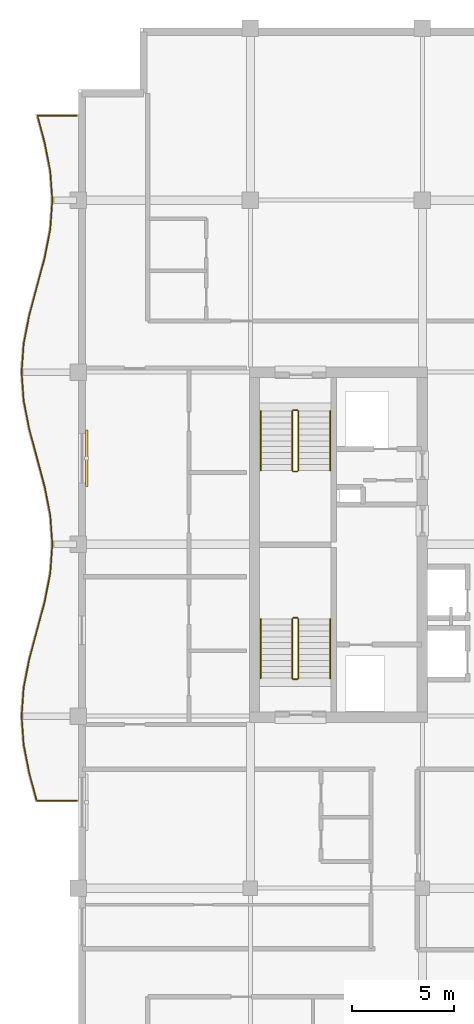
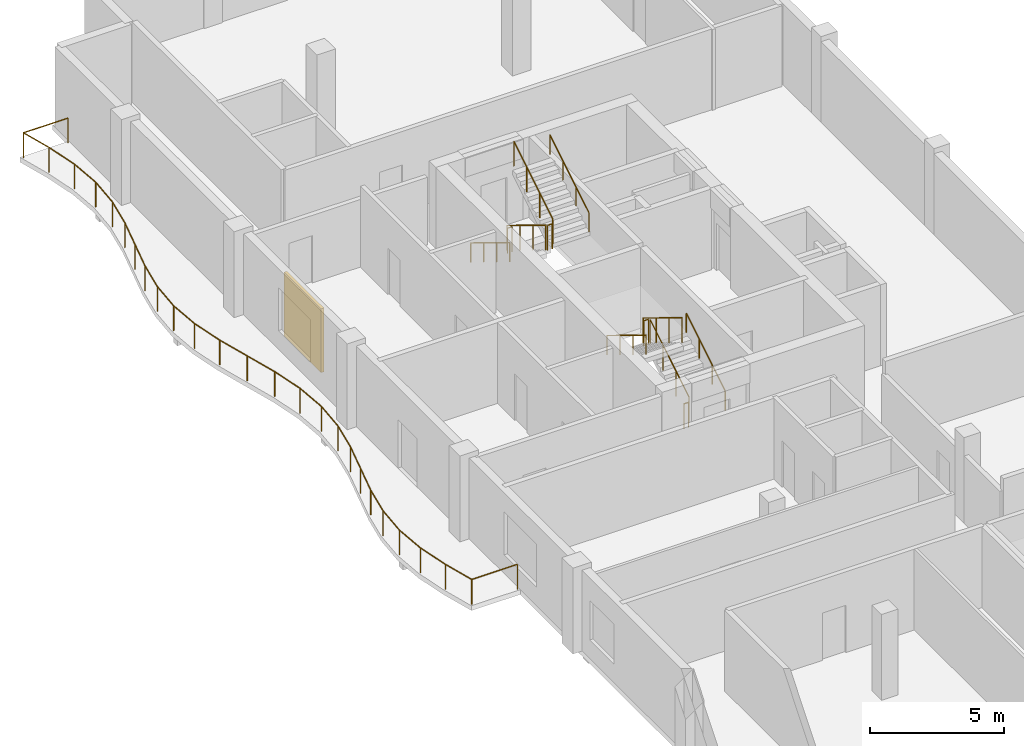
# One storey, part 13 of 14: 13 railings, 1 shading device.
"""IFC4 building model written with IfcOpenShell, lengths in metres."""

from ifc_helpers import new_model, si_unit, direction, frame, origin, origin_2d, place, context, subcontext, project, spatial, rectangle, circle, extrude, material, layer, layer_set, type_object, element, save


model = new_model("IFC4")

# Units and contexts
model_context = context("Model", 3, precision=1e-05, world=origin(), true_north=direction((0.0, 1.0)))
body_context = subcontext(model_context, "Body", "Model", "MODEL_VIEW")
ifc_project = project(units=[si_unit("LENGTHUNIT", "METRE"), si_unit("AREAUNIT", "SQUARE_METRE"), si_unit("VOLUMEUNIT", "CUBIC_METRE"), si_unit("PLANEANGLEUNIT", "RADIAN"), si_unit("MASSUNIT", "GRAM", prefix="KILO")], contexts=[model_context])

# Site, building, storey
site_placement = place(None, origin())
site = spatial("IfcSite", under=ifc_project, at=site_placement, CompositionType="ELEMENT")
building_placement = place(site_placement, origin())
building = spatial("IfcBuilding", under=site, at=building_placement, Name="Koriwani Terraces Tower", CompositionType="ELEMENT")
storey_placement = place(building_placement, frame((0.0, 0.0, 339.800048828125)))
storey = spatial("IfcBuildingStorey", under=building, at=storey_placement, Name="L84", CompositionType="ELEMENT", Elevation=339.800048828125)

# Railings
ifc_material_1 = material(Name="Steel ASTM A572 Grade 50", Category="steel")
railing_type_1 = type_object("IfcRailingType", Name="GUARD_BALUSTRADE_1150", PredefinedType="BALUSTRADE", material=ifc_material_1)
railing_1_placement = place(storey_placement, frame((8.320068359375, 37.8798828125, 0.0)))
element("IfcRailing", 1, at=railing_1_placement, inside=storey, type_object=railing_type_1, Name="L84 Balcony Perimeter Safety Balustrade (W)", PredefinedType="BALUSTRADE", context=body_context, shape_type="SweptSolid", body=[
    extrude(circle(Radius=0.02392578125, at=origin_2d()), frame((0.0, 0.0, 1.1259765625), z_axis=(-1.0, 0.0, 0.0), x_axis=(0.0, -1.0, 0.0)), (0.0, 0.0, 1.0), 1.958740234375),
    extrude(circle(Radius=0.02392578125, at=origin_2d()), frame((-1.958740234375, 0.0, 1.1259765625), z_axis=(-0.25871553033, 0.965953557044, 0.0), x_axis=(-0.965953557044, -0.25871553033, 0.0)), (0.0, 0.0, 1.0), 1.38525390625),
    extrude(circle(Radius=0.02392578125, at=origin_2d()), frame((-2.317138671875, 1.338134765625, 1.1259765625), z_axis=(-0.192342993657, 0.981327760125, 0.0), x_axis=(-0.981327760125, -0.192342993657, 0.0)), (0.0, 0.0, 1.0), 1.419189453125),
    extrude(circle(Radius=0.02392578125, at=origin_2d()), frame((-2.590087890625, 2.730712890625, 1.1259765625), z_axis=(-0.07168297904, 0.997427466293, 0.0), x_axis=(-0.997427466293, -0.07168297904, 0.0)), (0.0, 0.0, 1.0), 1.39306640625),
    extrude(circle(Radius=0.02392578125, at=origin_2d()), frame((-2.68994140625, 4.1201171875, 1.1259765625), z_axis=(0.07168297904, 0.997427466293, 0.0), x_axis=(-0.997427466293, 0.07168297904, 0.0)), (0.0, 0.0, 1.0), 1.39306640625),
    extrude(circle(Radius=0.02392578125, at=origin_2d()), frame((-2.590087890625, 5.509521484375, 1.1259765625), z_axis=(0.192342993657, 0.981327760125, 0.0), x_axis=(-0.981327760125, 0.192342993657, 0.0)), (0.0, 0.0, 1.0), 1.419189453125),
    extrude(circle(Radius=0.02392578125, at=origin_2d()), frame((-2.317138671875, 6.902099609375, 1.1259765625), z_axis=(0.258731875344, 0.96594917914, 0.0), x_axis=(-0.96594917914, 0.258731875344, 0.0)), (0.0, 0.0, 1.0), 2.898681640625),
    extrude(circle(Radius=0.02392578125, at=origin_2d()), frame((-1.567138671875, 9.7021484375, 1.1259765625), z_axis=(0.192186246762, 0.981358469957, 0.0), x_axis=(-0.981358469957, 0.192186246762, 0.0)), (0.0, 0.0, 1.0), 1.434326171875),
    extrude(circle(Radius=0.02392578125, at=origin_2d()), frame((-1.29150390625, 11.109619140625, 1.1259765625), z_axis=(0.071651951482, 0.997429695692, 0.0), x_axis=(-0.997429695692, 0.071651951482, 0.0)), (0.0, 0.0, 1.0), 1.4140625),
    extrude(circle(Radius=0.02392578125, at=origin_2d()), frame((-1.190185546875, 12.52001953125, 1.1259765625), z_axis=(-0.071639614309, 0.997430581876, 0.0), x_axis=(-0.997430581876, -0.071639614309, 0.0)), (0.0, 0.0, 1.0), 1.414306640625),
    extrude(circle(Radius=0.02392578125, at=origin_2d()), frame((-1.29150390625, 13.9306640625, 1.1259765625), z_axis=(-0.192186246762, 0.981358469957, 0.0), x_axis=(-0.981358469957, -0.192186246762, 0.0)), (0.0, 0.0, 1.0), 1.434326171875),
    extrude(circle(Radius=0.02392578125, at=origin_2d()), frame((-1.567138671875, 15.338134765625, 1.1259765625), z_axis=(-0.258731875344, 0.96594917914, 0.0), x_axis=(-0.96594917914, -0.258731875344, 0.0)), (0.0, 0.0, 1.0), 2.898681640625),
    extrude(circle(Radius=0.02392578125, at=origin_2d()), frame((-2.317138671875, 18.13818359375, 1.1259765625), z_axis=(-0.192342993657, 0.981327760125, 0.0), x_axis=(-0.981327760125, -0.192342993657, 0.0)), (0.0, 0.0, 1.0), 1.419189453125),
    extrude(circle(Radius=0.02392578125, at=origin_2d()), frame((-2.590087890625, 19.53076171875, 1.1259765625), z_axis=(-0.07168297904, 0.997427466293, 0.0), x_axis=(-0.997427466293, -0.07168297904, 0.0)), (0.0, 0.0, 1.0), 1.39306640625),
    extrude(circle(Radius=0.02392578125, at=origin_2d()), frame((-2.68994140625, 20.920166015625, 1.1259765625), z_axis=(0.07168297904, 0.997427466293, 0.0), x_axis=(-0.997427466293, 0.07168297904, 0.0)), (0.0, 0.0, 1.0), 1.39306640625),
    extrude(circle(Radius=0.02392578125, at=origin_2d()), frame((-2.590087890625, 22.3095703125, 1.1259765625), z_axis=(0.19237547223, 0.981321393675, 0.0), x_axis=(-0.981321393675, 0.19237547223, 0.0)), (0.0, 0.0, 1.0), 1.4189453125),
    extrude(circle(Radius=0.02392578125, at=origin_2d()), frame((-2.317138671875, 23.701904296875, 1.1259765625), z_axis=(0.258710827923, 0.965954816498, 0.0), x_axis=(-0.965954816498, 0.258710827923, 0.0)), (0.0, 0.0, 1.0), 2.89892578125),
    extrude(circle(Radius=0.02392578125, at=origin_2d()), frame((-1.567138671875, 26.502197265625, 1.1259765625), z_axis=(0.192218357442, 0.981352180954, 0.0), x_axis=(-0.981352180954, 0.192218357442, 0.0)), (0.0, 0.0, 1.0), 1.43408203125),
    extrude(circle(Radius=0.02392578125, at=origin_2d()), frame((-1.29150390625, 27.909423828125, 1.1259765625), z_axis=(0.071639614309, 0.997430581876, 0.0), x_axis=(-0.997430581876, 0.071639614309, 0.0)), (0.0, 0.0, 1.0), 1.414306640625),
    extrude(circle(Radius=0.02392578125, at=origin_2d()), frame((-1.190185546875, 29.320068359375, 1.1259765625), z_axis=(-0.071639614309, 0.997430581876, 0.0), x_axis=(-0.997430581876, -0.071639614309, 0.0)), (0.0, 0.0, 1.0), 1.414306640625),
    extrude(circle(Radius=0.02392578125, at=origin_2d()), frame((-1.29150390625, 30.730712890625, 1.1259765625), z_axis=(-0.192186246762, 0.981358469957, 0.0), x_axis=(-0.981358469957, -0.192186246762, 0.0)), (0.0, 0.0, 1.0), 1.434326171875),
    extrude(circle(Radius=0.02392578125, at=origin_2d()), frame((-1.567138671875, 32.13818359375, 1.1259765625), z_axis=(-0.258654599752, 0.965969874285, 0.0), x_axis=(-0.965969874285, -0.258654599752, 0.0)), (0.0, 0.0, 1.0), 1.347900390625),
    extrude(circle(Radius=0.02392578125, at=origin_2d()), frame((-1.915771484375, 33.440185546875, 1.1259765625), z_axis=(1.0, 0.0, 0.0), x_axis=(0.0, 1.0, 0.0)), (0.0, 0.0, 1.0), 1.915771484375),
    extrude(circle(Radius=0.02099609375, at=origin_2d()), origin(), (0.0, 0.0, 1.0), 1.101806640625),
    extrude(circle(Radius=0.02099609375, at=origin_2d()), frame((-1.958740234375, 0.0, 0.0)), (0.0, 0.0, 1.0), 1.101806640625),
    extrude(circle(Radius=0.02099609375, at=origin_2d()), frame((-2.317138671875, 1.338134765625, 0.0)), (0.0, 0.0, 1.0), 1.101806640625),
    extrude(circle(Radius=0.02099609375, at=origin_2d()), frame((-2.590087890625, 2.730712890625, 0.0)), (0.0, 0.0, 1.0), 1.101806640625),
    extrude(circle(Radius=0.02099609375, at=origin_2d()), frame((-2.68994140625, 4.1201171875, 0.0)), (0.0, 0.0, 1.0), 1.101806640625),
    extrude(circle(Radius=0.02099609375, at=origin_2d()), frame((-2.590087890625, 5.509521484375, 0.0)), (0.0, 0.0, 1.0), 1.101806640625),
    extrude(circle(Radius=0.02099609375, at=origin_2d()), frame((-2.317138671875, 6.902099609375, 0.0)), (0.0, 0.0, 1.0), 1.101806640625),
    extrude(circle(Radius=0.02099609375, at=origin_2d()), frame((-1.942138671875, 8.30224609375, 0.0)), (0.0, 0.0, 1.0), 1.101806640625),
    extrude(circle(Radius=0.02099609375, at=origin_2d()), frame((-1.567138671875, 9.7021484375, 0.0)), (0.0, 0.0, 1.0), 1.101806640625),
    extrude(circle(Radius=0.02099609375, at=origin_2d()), frame((-1.29150390625, 11.109619140625, 0.0)), (0.0, 0.0, 1.0), 1.101806640625),
    extrude(circle(Radius=0.02099609375, at=origin_2d()), frame((-1.190185546875, 12.52001953125, 0.0)), (0.0, 0.0, 1.0), 1.101806640625),
    extrude(circle(Radius=0.02099609375, at=origin_2d()), frame((-1.29150390625, 13.9306640625, 0.0)), (0.0, 0.0, 1.0), 1.101806640625),
    extrude(circle(Radius=0.02099609375, at=origin_2d()), frame((-1.567138671875, 15.338134765625, 0.0)), (0.0, 0.0, 1.0), 1.101806640625),
    extrude(circle(Radius=0.02099609375, at=origin_2d()), frame((-1.942138671875, 16.73828125, 0.0)), (0.0, 0.0, 1.0), 1.101806640625),
    extrude(circle(Radius=0.02099609375, at=origin_2d()), frame((-2.317138671875, 18.13818359375, 0.0)), (0.0, 0.0, 1.0), 1.101806640625),
    extrude(circle(Radius=0.02099609375, at=origin_2d()), frame((-2.590087890625, 19.53076171875, 0.0)), (0.0, 0.0, 1.0), 1.101806640625),
    extrude(circle(Radius=0.02099609375, at=origin_2d()), frame((-2.68994140625, 20.920166015625, 0.0)), (0.0, 0.0, 1.0), 1.101806640625),
    extrude(circle(Radius=0.02099609375, at=origin_2d()), frame((-2.590087890625, 22.3095703125, 0.0)), (0.0, 0.0, 1.0), 1.101806640625),
    extrude(circle(Radius=0.02099609375, at=origin_2d()), frame((-2.317138671875, 23.701904296875, 0.0)), (0.0, 0.0, 1.0), 1.101806640625),
    extrude(circle(Radius=0.02099609375, at=origin_2d()), frame((-1.942138671875, 25.10205078125, 0.0)), (0.0, 0.0, 1.0), 1.101806640625),
    extrude(circle(Radius=0.02099609375, at=origin_2d()), frame((-1.567138671875, 26.502197265625, 0.0)), (0.0, 0.0, 1.0), 1.101806640625),
    extrude(circle(Radius=0.02099609375, at=origin_2d()), frame((-1.29150390625, 27.909423828125, 0.0)), (0.0, 0.0, 1.0), 1.101806640625),
    extrude(circle(Radius=0.02099609375, at=origin_2d()), frame((-1.190185546875, 29.320068359375, 0.0)), (0.0, 0.0, 1.0), 1.101806640625),
    extrude(circle(Radius=0.02099609375, at=origin_2d()), frame((-1.29150390625, 30.730712890625, 0.0)), (0.0, 0.0, 1.0), 1.101806640625),
    extrude(circle(Radius=0.02099609375, at=origin_2d()), frame((-1.567138671875, 32.13818359375, 0.0)), (0.0, 0.0, 1.0), 1.101806640625),
    extrude(circle(Radius=0.02099609375, at=origin_2d()), frame((-1.915771484375, 33.440185546875, 0.0)), (0.0, 0.0, 1.0), 1.101806640625),
    extrude(circle(Radius=0.02099609375, at=origin_2d()), frame((0.0, 33.440185546875, 0.0)), (0.0, 0.0, 1.0), 1.101806640625),
])
railing_type_2 = type_object("IfcRailingType", Name="GUARD_STAIR_WELL_1120", PredefinedType="GUARDRAIL", material=ifc_material_1)
railing_2_placement = place(storey_placement, frame((19.14990234375, 43.85009765625, 0.17724609375)))
element("IfcRailing", 2, at=railing_2_placement, inside=storey, type_object=railing_type_2, Name="L84 ST-W1 stair guard 1", PredefinedType="GUARDRAIL", context=body_context, shape_type="SweptSolid", body=[
    extrude(circle(Radius=0.02392578125, at=origin_2d()), frame((0.0, 0.0, 1.1259765625), z_axis=(0.0, 0.853210801645, 0.521566225858), x_axis=(-1.0, 0.0, 0.0)), (0.0, 0.0, 1.0), 3.39892578125),
    extrude(circle(Radius=0.02099609375, at=origin_2d()), origin(), (0.0, 0.0, 1.0), 1.101806640625),
    extrude(circle(Radius=0.02099609375, at=origin_2d()), frame((0.0, 0.966552734375, 0.5908203125)), (0.0, 0.0, 1.0), 1.101806640625),
    extrude(circle(Radius=0.02099609375, at=origin_2d()), frame((0.0, 1.933349609375, 1.181884765625)), (0.0, 0.0, 1.0), 1.101806640625),
    extrude(circle(Radius=0.02099609375, at=origin_2d()), frame((0.0, 2.89990234375, 1.772705078125)), (0.0, 0.0, 1.0), 1.101806640625),
])
railing_3_placement = place(storey_placement, frame((19.10009765625, 46.800048828125, 1.949951171875)))
element("IfcRailing", 3, at=railing_3_placement, inside=storey, type_object=railing_type_2, Name="L84 ST-W1 stair guard 2", PredefinedType="GUARDRAIL", context=body_context, shape_type="SweptSolid", body=[
    extrude(circle(Radius=0.02392578125, at=origin_2d()), frame((0.0, 0.0, 1.1259765625), z_axis=(-1.0, 0.0, 0.0), x_axis=(0.0, -1.0, 0.0)), (0.0, 0.0, 1.0), 0.2001953125),
    extrude(circle(Radius=0.02099609375, at=origin_2d()), origin(), (0.0, 0.0, 1.0), 1.101806640625),
    extrude(circle(Radius=0.02099609375, at=origin_2d()), frame((-0.2001953125, 0.0, 0.0)), (0.0, 0.0, 1.0), 1.101806640625),
])
railing_4_placement = place(storey_placement, frame((18.85009765625, 46.75, 2.127197265625)))
element("IfcRailing", 4, at=railing_4_placement, inside=storey, type_object=railing_type_2, Name="L84 ST-W1 stair guard 3", PredefinedType="GUARDRAIL", context=body_context, shape_type="SweptSolid", body=[
    extrude(circle(Radius=0.02392578125, at=origin_2d()), frame((0.0, 0.0, 1.1259765625), z_axis=(0.0, -0.853210801645, 0.521566225858), x_axis=(1.0, 0.0, 0.0)), (0.0, 0.0, 1.0), 3.39892578125),
    extrude(circle(Radius=0.02099609375, at=origin_2d()), origin(), (0.0, 0.0, 1.0), 1.101806640625),
    extrude(circle(Radius=0.02099609375, at=origin_2d()), frame((0.0, -0.966552734375, 0.5908203125)), (0.0, 0.0, 1.0), 1.101806640625),
    extrude(circle(Radius=0.02099609375, at=origin_2d()), frame((0.0, -1.933349609375, 1.181884765625)), (0.0, 0.0, 1.0), 1.101806640625),
    extrude(circle(Radius=0.02099609375, at=origin_2d()), frame((0.0, -2.89990234375, 1.772705078125)), (0.0, 0.0, 1.0), 1.101806640625),
])
railing_5_placement = place(storey_placement, frame((19.10009765625, 43.800048828125, 0.0)))
element("IfcRailing", 5, at=railing_5_placement, inside=storey, type_object=railing_type_2, Name="L84 ST-W1 stair guard 4", PredefinedType="GUARDRAIL", context=body_context, shape_type="SweptSolid", body=[
    extrude(circle(Radius=0.02392578125, at=origin_2d()), frame((0.0, 0.0, 1.1259765625), z_axis=(-1.0, 0.0, 0.0), x_axis=(0.0, -1.0, 0.0)), (0.0, 0.0, 1.0), 0.2001953125),
    extrude(circle(Radius=0.02099609375, at=origin_2d()), origin(), (0.0, 0.0, 1.0), 1.101806640625),
    extrude(circle(Radius=0.02099609375, at=origin_2d()), frame((-0.2001953125, 0.0, 0.0)), (0.0, 0.0, 1.0), 1.101806640625),
])
railing_6_placement = place(storey_placement, frame((18.85009765625, 56.89990234375, 0.17724609375)))
element("IfcRailing", 6, at=railing_6_placement, inside=storey, type_object=railing_type_2, Name="L84 ST-W2 stair guard 1", PredefinedType="GUARDRAIL", context=body_context, shape_type="SweptSolid", body=[
    extrude(circle(Radius=0.02392578125, at=origin_2d()), frame((0.0, 0.0, 1.1259765625), z_axis=(0.0, -0.853210801645, 0.521566225858), x_axis=(1.0, 0.0, 0.0)), (0.0, 0.0, 1.0), 3.39892578125),
    extrude(circle(Radius=0.02099609375, at=origin_2d()), origin(), (0.0, 0.0, 1.0), 1.101806640625),
    extrude(circle(Radius=0.02099609375, at=origin_2d()), frame((0.0, -0.966552734375, 0.5908203125)), (0.0, 0.0, 1.0), 1.101806640625),
    extrude(circle(Radius=0.02099609375, at=origin_2d()), frame((0.0, -1.933349609375, 1.181884765625)), (0.0, 0.0, 1.0), 1.101806640625),
    extrude(circle(Radius=0.02099609375, at=origin_2d()), frame((0.0, -2.89990234375, 1.772705078125)), (0.0, 0.0, 1.0), 1.101806640625),
])
railing_7_placement = place(storey_placement, frame((18.89990234375, 53.949951171875, 1.949951171875)))
element("IfcRailing", 7, at=railing_7_placement, inside=storey, type_object=railing_type_2, Name="L84 ST-W2 stair guard 2", PredefinedType="GUARDRAIL", context=body_context, shape_type="SweptSolid", body=[
    extrude(circle(Radius=0.02392578125, at=origin_2d()), frame((0.0, 0.0, 1.1259765625), z_axis=(1.0, 0.0, 0.0), x_axis=(0.0, 1.0, 0.0)), (0.0, 0.0, 1.0), 0.2001953125),
    extrude(circle(Radius=0.02099609375, at=origin_2d()), origin(), (0.0, 0.0, 1.0), 1.101806640625),
    extrude(circle(Radius=0.02099609375, at=origin_2d()), frame((0.2001953125, 0.0, 0.0)), (0.0, 0.0, 1.0), 1.101806640625),
])
railing_8_placement = place(storey_placement, frame((19.14990234375, 54.0, 2.127197265625)))
element("IfcRailing", 8, at=railing_8_placement, inside=storey, type_object=railing_type_2, Name="L84 ST-W2 stair guard 3", PredefinedType="GUARDRAIL", context=body_context, shape_type="SweptSolid", body=[
    extrude(circle(Radius=0.02392578125, at=origin_2d()), frame((0.0, 0.0, 1.1259765625), z_axis=(0.0, 0.853210801645, 0.521566225858), x_axis=(-1.0, 0.0, 0.0)), (0.0, 0.0, 1.0), 3.39892578125),
    extrude(circle(Radius=0.02099609375, at=origin_2d()), origin(), (0.0, 0.0, 1.0), 1.101806640625),
    extrude(circle(Radius=0.02099609375, at=origin_2d()), frame((0.0, 0.966552734375, 0.5908203125)), (0.0, 0.0, 1.0), 1.101806640625),
    extrude(circle(Radius=0.02099609375, at=origin_2d()), frame((0.0, 1.933349609375, 1.181884765625)), (0.0, 0.0, 1.0), 1.101806640625),
    extrude(circle(Radius=0.02099609375, at=origin_2d()), frame((0.0, 2.89990234375, 1.772705078125)), (0.0, 0.0, 1.0), 1.101806640625),
])
railing_9_placement = place(storey_placement, frame((18.89990234375, 56.949951171875, 0.0)))
element("IfcRailing", 9, at=railing_9_placement, inside=storey, type_object=railing_type_2, Name="L84 ST-W2 stair guard 4", PredefinedType="GUARDRAIL", context=body_context, shape_type="SweptSolid", body=[
    extrude(circle(Radius=0.02392578125, at=origin_2d()), frame((0.0, 0.0, 1.1259765625), z_axis=(1.0, 0.0, 0.0), x_axis=(0.0, 1.0, 0.0)), (0.0, 0.0, 1.0), 0.2001953125),
    extrude(circle(Radius=0.02099609375, at=origin_2d()), origin(), (0.0, 0.0, 1.0), 1.101806640625),
    extrude(circle(Radius=0.02099609375, at=origin_2d()), frame((0.2001953125, 0.0, 0.0)), (0.0, 0.0, 1.0), 1.101806640625),
])
railing_type_3 = type_object("IfcRailingType", Name="HANDRAIL_STAIR_920", PredefinedType="HANDRAIL", material=ifc_material_1)
railing_10_placement = place(storey_placement, frame((20.699951171875, 43.85009765625, 0.17724609375)))
element("IfcRailing", 10, at=railing_10_placement, inside=storey, type_object=railing_type_3, Name="L84 ST-W1 stair handrail 1", PredefinedType="HANDRAIL", context=body_context, shape_type="SweptSolid", body=[
    extrude(circle(Radius=0.02392578125, at=origin_2d()), frame((0.0, 0.0, 0.8759765625), z_axis=(0.0, 0.853210801645, 0.521566225858), x_axis=(-1.0, 0.0, 0.0)), (0.0, 0.0, 1.0), 3.39892578125),
    extrude(circle(Radius=0.02099609375, at=origin_2d()), origin(), (0.0, 0.0, 1.0), 0.851806640625),
    extrude(circle(Radius=0.02099609375, at=origin_2d()), frame((0.0, 0.966552734375, 0.5908203125)), (0.0, 0.0, 1.0), 0.851806640625),
    extrude(circle(Radius=0.02099609375, at=origin_2d()), frame((0.0, 1.933349609375, 1.181884765625)), (0.0, 0.0, 1.0), 0.851806640625),
    extrude(circle(Radius=0.02099609375, at=origin_2d()), frame((0.0, 2.89990234375, 1.772705078125)), (0.0, 0.0, 1.0), 0.851806640625),
])
for number, where, name in (
    (11, (17.300048828125, 46.75, 2.127197265625), "L84 ST-W1 stair handrail 2"),
    (12, (17.300048828125, 56.89990234375, 0.17724609375), "L84 ST-W2 stair handrail 1"),
):
    element("IfcRailing", number, at=place(storey_placement, frame(where)), inside=storey, type_object=railing_type_3, Name=name, PredefinedType="HANDRAIL", context=body_context, shape_type="SweptSolid", body=[
        extrude(circle(Radius=0.02392578125, at=origin_2d()), frame((0.0, 0.0, 0.8759765625), z_axis=(0.0, -0.853210801645, 0.521566225858), x_axis=(1.0, 0.0, 0.0)), (0.0, 0.0, 1.0), 3.39892578125),
        extrude(circle(Radius=0.02099609375, at=origin_2d()), origin(), (0.0, 0.0, 1.0), 0.851806640625),
        extrude(circle(Radius=0.02099609375, at=origin_2d()), frame((0.0, -0.966552734375, 0.5908203125)), (0.0, 0.0, 1.0), 0.851806640625),
        extrude(circle(Radius=0.02099609375, at=origin_2d()), frame((0.0, -1.933349609375, 1.181884765625)), (0.0, 0.0, 1.0), 0.851806640625),
        extrude(circle(Radius=0.02099609375, at=origin_2d()), frame((0.0, -2.89990234375, 1.772705078125)), (0.0, 0.0, 1.0), 0.851806640625),
    ])
railing_11_placement = place(storey_placement, frame((20.699951171875, 54.0, 2.127197265625)))
element("IfcRailing", 13, at=railing_11_placement, inside=storey, type_object=railing_type_3, Name="L84 ST-W2 stair handrail 2", PredefinedType="HANDRAIL", context=body_context, shape_type="SweptSolid", body=[
    extrude(circle(Radius=0.02392578125, at=origin_2d()), frame((0.0, 0.0, 0.8759765625), z_axis=(0.0, 0.853210801645, 0.521566225858), x_axis=(-1.0, 0.0, 0.0)), (0.0, 0.0, 1.0), 3.39892578125),
    extrude(circle(Radius=0.02099609375, at=origin_2d()), origin(), (0.0, 0.0, 1.0), 0.851806640625),
    extrude(circle(Radius=0.02099609375, at=origin_2d()), frame((0.0, 0.966552734375, 0.5908203125)), (0.0, 0.0, 1.0), 0.851806640625),
    extrude(circle(Radius=0.02099609375, at=origin_2d()), frame((0.0, 1.933349609375, 1.181884765625)), (0.0, 0.0, 1.0), 0.851806640625),
    extrude(circle(Radius=0.02099609375, at=origin_2d()), frame((0.0, 2.89990234375, 1.772705078125)), (0.0, 0.0, 1.0), 0.851806640625),
])

# Shading device
ifc_material_2 = material(Name="Extruded Terracotta Clay", Category="masonry")
ifc_layer = layer(ifc_material_2, 0.1201171875, Name="Extruded Terracotta Clay")
ifc_layer_set = layer_set([ifc_layer], Name="Extruded Terracotta Clay")
shading_device_type = type_object("IfcShadingDeviceType", Name="TERRACOTTA_BAGUETTE_SCREEN_2800", PredefinedType="USERDEFINED", material=ifc_layer_set)
shading_device_placement = place(storey_placement, frame((8.804931640625, 54.60009765625, 0.385009765625), z_axis=(0.0, 0.0, 1.0), x_axis=(0.0, 1.0, 0.0)))
element("IfcShadingDevice", 14, at=shading_device_placement, inside=storey, type_object=shading_device_type, Name="L84 Extruded Terracotta Baguette Screen (W-15)", ObjectType="BAGUETTE", PredefinedType="USERDEFINED", context=body_context, shape_type="SweptSolid", body=[
    extrude(rectangle(XDim=2.760009765625, YDim=0.1201171875, at=origin_2d()), origin(), (0.0, 0.0, 1.0), 2.89990234375),
])

save(model, "model.ifc")
